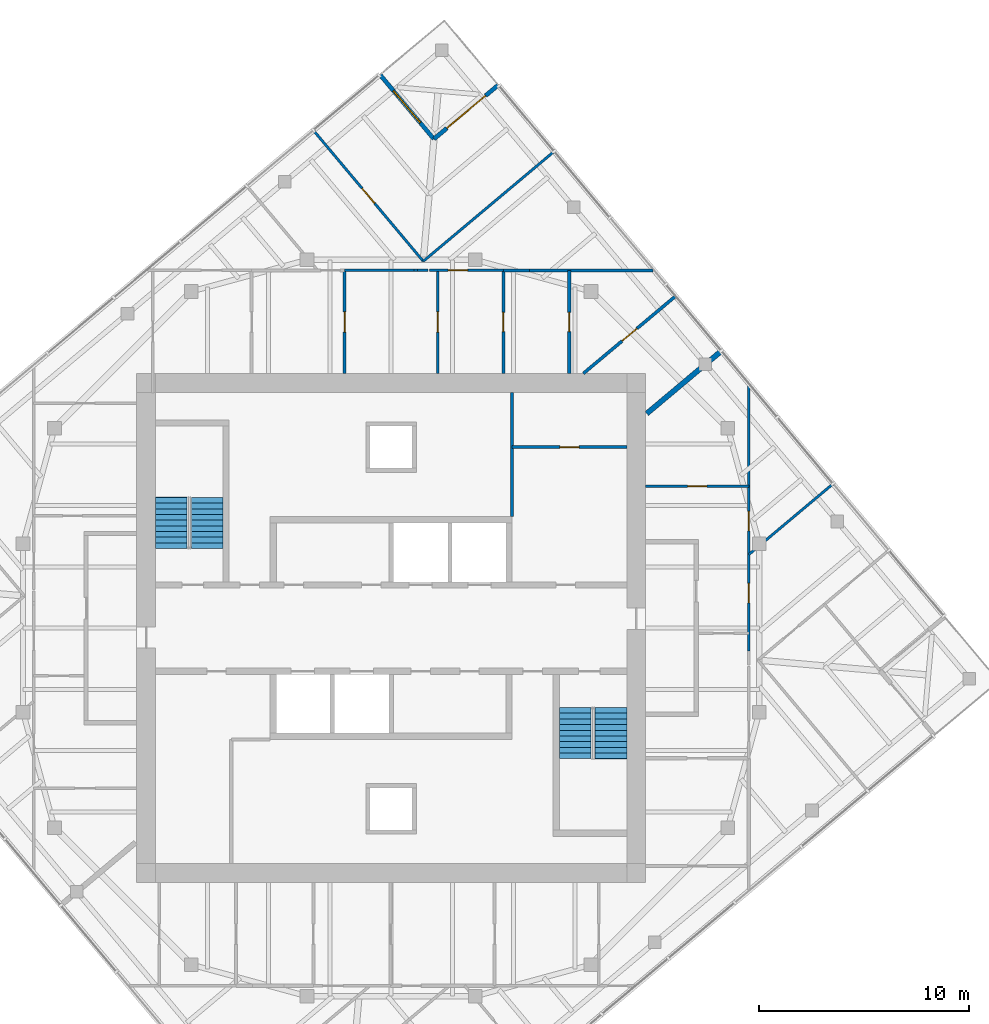
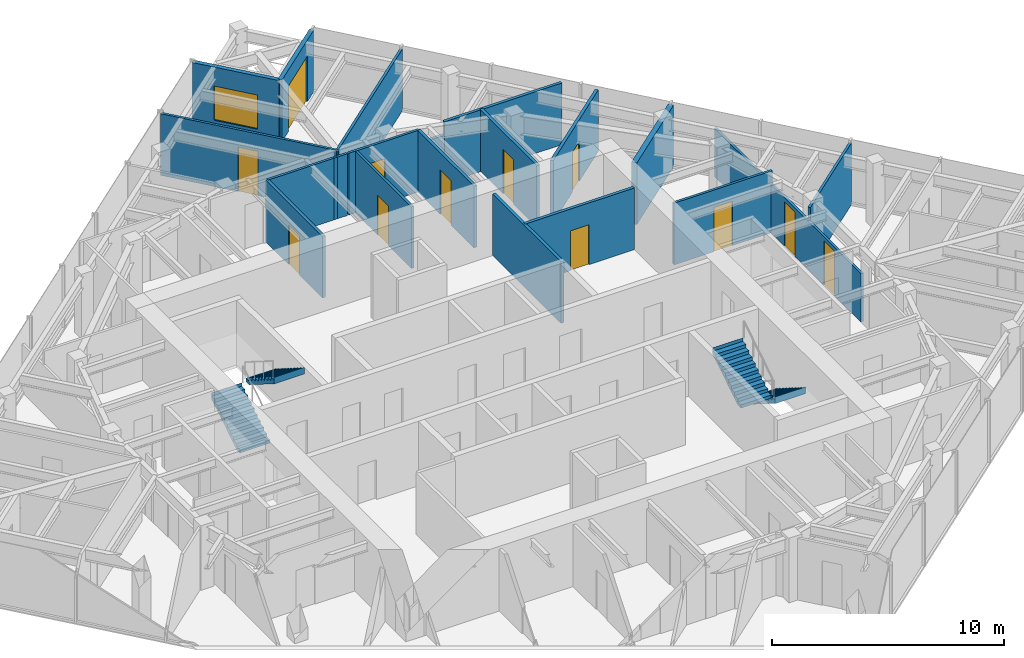
# One storey, part 10 of 11: 21 walls, 12 doors, 4 stair flights, 1 window, 13 openings, 2 elements without a shape of their own.
"""IFC4 building model written with IfcOpenShell, lengths in metres."""

from ifc_helpers import new_model, si_unit, direction, frame, frame_2d, origin, place, context, subcontext, project, spatial, polyline, rectangle, outline, extrude, material, layer, layer_set, type_object, element, fill, aggregate, save


model = new_model("IFC4")

# Units and contexts
model_context = context("Model", 3, precision=1e-05, world=origin(), true_north=direction((0.0, 1.0)))
body_context = subcontext(model_context, "Body", "Model", "MODEL_VIEW")
ifc_project = project(units=[si_unit("LENGTHUNIT", "METRE"), si_unit("AREAUNIT", "SQUARE_METRE"), si_unit("VOLUMEUNIT", "CUBIC_METRE"), si_unit("PLANEANGLEUNIT", "RADIAN"), si_unit("MASSUNIT", "GRAM", prefix="KILO")], contexts=[model_context])

# Site, building, storey
site_placement = place(None, origin())
site = spatial("IfcSite", under=ifc_project, at=site_placement, CompositionType="ELEMENT")
building_placement = place(site_placement, origin())
building = spatial("IfcBuilding", under=site, at=building_placement, Name="Torsade Residences", CompositionType="ELEMENT")
storey_placement = place(building_placement, frame((0.0, 0.0, 276.0)))
storey = spatial("IfcBuildingStorey", under=building, at=storey_placement, Name="L76", CompositionType="ELEMENT", Elevation=276.0)

# Wall, opening, door
ifc_material_1 = material(Name="Plasterboard on steel stud", Category="steel")
ifc_layer_1 = layer(ifc_material_1, 0.1201171875)
ifc_layer_set_1 = layer_set([ifc_layer_1], Name="Plasterboard on steel stud")
wall_type_1 = type_object("IfcWallType", Name="PARTITION 120", PredefinedType="PARTITIONING", material=ifc_layer_set_1)
wall_1_placement = place(storey_placement, frame((52.10009765625, 36.729736328125, 0.0), z_axis=(0.0, 0.0, 1.0), x_axis=(1.0, 0.0, 0.0)))
wall_1 = element("IfcWall", 1, at=wall_1_placement, inside=storey, type_object=wall_type_1, Name="Partition L76", PredefinedType="PARTITIONING", context=body_context, shape_type="SweptSolid", body=[
    extrude(rectangle(XDim=4.89990234375, YDim=0.1201171875, at=frame_2d((2.449951171875, 0.0))), origin(), (0.0, 0.0, 1.0), 3.25),
])
opening_1_placement = place(wall_1_placement, frame((1.989990234375, 0.0, 0.0)))
opening_1 = element("IfcOpeningElement", 2, at=opening_1_placement, cuts=wall_1, Name="Opening D02", PredefinedType="OPENING", context=body_context, shape_type="SweptSolid", body=[
    extrude(rectangle(XDim=0.919921875, YDim=2.340087890625, at=frame_2d((0.4599609375, 1.169921875))), frame((0.0, 0.070068359375, 0.0), z_axis=(0.0, -1.0, 0.0), x_axis=(1.0, 0.0, 0.0)), (0.0, 0.0, 1.0), 0.14013671875),
])
ifc_material_2 = material(Name="Hollow-core timber door", Category="wood")
door_type_1 = type_object("IfcDoorType", Name="INTERNAL DOOR 920x2340", OperationType="NOTDEFINED", PredefinedType="DOOR", material=ifc_material_2)
door_1_placement = place(opening_1_placement, origin())
door_1 = element("IfcDoor", 3, at=door_1_placement, inside=storey, type_object=door_type_1, Name="Door Kitchen and dining to Scullery", OperationType="SINGLE_SWING_RIGHT", OverallHeight=2.340087890625, OverallWidth=0.919921875, PredefinedType="DOOR", context=body_context, shape_type="SweptSolid", body=[
    extrude(rectangle(XDim=0.919921875, YDim=2.340087890625, at=frame_2d((0.4599609375, 1.169921875))), frame((0.0, 0.02490234375, 0.0), z_axis=(0.0, -1.0, 0.0), x_axis=(1.0, 0.0, 0.0)), (0.0, 0.0, 1.0), 0.050048828125),
])
fill(opening_1, door_1)

# Wall, openings, doors
wall_2_placement = place(storey_placement, frame((57.0, 41.5703125, 0.0), z_axis=(0.0, 0.0, 1.0), x_axis=(0.0, -1.0, 0.0)))
wall_2 = element("IfcWall", 4, at=wall_2_placement, inside=storey, type_object=wall_type_1, Name="Partition L76", PredefinedType="PARTITIONING", context=body_context, shape_type="SweptSolid", body=[
    extrude(rectangle(XDim=12.65576171875, YDim=0.1201171875, at=frame_2d((6.327880859375, 0.0))), origin(), (0.0, 0.0, 1.0), 2.549072265625),
])
opening_2_placement = place(wall_2_placement, frame((9.449462890625, 0.0, 0.0)))
opening_2 = element("IfcOpeningElement", 5, at=opening_2_placement, cuts=wall_2, Name="Opening D02", PredefinedType="OPENING", context=body_context, shape_type="SweptSolid", body=[
    extrude(rectangle(XDim=0.919921875, YDim=2.340087890625, at=frame_2d((0.4599609375, 1.169921875))), frame((0.0, 0.070068359375, 0.0), z_axis=(0.0, -1.0, 0.0), x_axis=(1.0, 0.0, 0.0)), (0.0, 0.0, 1.0), 0.14013671875),
])
opening_3_placement = place(wall_2_placement, frame((6.030517578125, 0.0, 0.0)))
opening_3 = element("IfcOpeningElement", 6, at=opening_3_placement, cuts=wall_2, Name="Opening D02", PredefinedType="OPENING", context=body_context, shape_type="SweptSolid", body=[
    extrude(rectangle(XDim=0.919921875, YDim=2.340087890625, at=frame_2d((0.4599609375, 1.169921875))), frame((0.0, 0.070068359375, 0.0), z_axis=(0.0, -1.0, 0.0), x_axis=(1.0, 0.0, 0.0)), (0.0, 0.0, 1.0), 0.14013671875),
])
door_2_placement = place(opening_2_placement, origin())
door_2 = element("IfcDoor", 7, at=door_2_placement, inside=storey, type_object=door_type_1, Name="Door Kitchen and dining to Bedroom 4", OperationType="SINGLE_SWING_LEFT", OverallHeight=2.340087890625, OverallWidth=0.919921875, PredefinedType="DOOR", context=body_context, shape_type="SweptSolid", body=[
    extrude(rectangle(XDim=0.919921875, YDim=2.340087890625, at=frame_2d((0.4599609375, 1.169921875))), frame((0.0, 0.02490234375, 0.0), z_axis=(0.0, -1.0, 0.0), x_axis=(1.0, 0.0, 0.0)), (0.0, 0.0, 1.0), 0.050048828125),
])
fill(opening_2, door_2)
door_3_placement = place(opening_3_placement, origin())
door_3 = element("IfcDoor", 8, at=door_3_placement, inside=storey, type_object=door_type_1, Name="Door Kitchen and dining to Media room", OperationType="SINGLE_SWING_RIGHT", OverallHeight=2.340087890625, OverallWidth=0.919921875, PredefinedType="DOOR", context=body_context, shape_type="SweptSolid", body=[
    extrude(rectangle(XDim=0.919921875, YDim=2.340087890625, at=frame_2d((0.4599609375, 1.169921875))), frame((0.0, 0.02490234375, 0.0), z_axis=(0.0, -1.0, 0.0), x_axis=(1.0, 0.0, 0.0)), (0.0, 0.0, 1.0), 0.050048828125),
])
fill(opening_3, door_3)

# Wall
wall_3_placement = place(storey_placement, frame((57.0, 33.4951171875, 0.0), z_axis=(0.0, 0.0, 1.0), x_axis=(0.76605407051, 0.642776136034, 0.0)))
element("IfcWall", 9, at=wall_3_placement, inside=storey, type_object=wall_type_1, Name="Partition L76", PredefinedType="PARTITIONING", context=body_context, shape_type="SweptSolid", body=[
    extrude(rectangle(XDim=5.190673828125, YDim=0.1201171875, at=frame_2d((2.59521484375, 0.0))), origin(), (0.0, 0.0, 1.0), 3.25),
])

# Wall, opening, door
wall_4_placement = place(storey_placement, frame((42.208251953125, 47.0, 0.0), z_axis=(0.0, 0.0, 1.0), x_axis=(0.0, -1.0, 0.0)))
wall_4 = element("IfcWall", 10, at=wall_4_placement, inside=storey, type_object=wall_type_1, Name="Partition L76", PredefinedType="PARTITIONING", context=body_context, shape_type="SweptSolid", body=[
    extrude(rectangle(XDim=4.89990234375, YDim=0.1201171875, at=frame_2d((2.449951171875, 0.0))), origin(), (0.0, 0.0, 1.0), 3.25),
])
opening_4_placement = place(wall_4_placement, frame((1.969970703125, 0.0, 0.0)))
opening_4 = element("IfcOpeningElement", 11, at=opening_4_placement, cuts=wall_4, Name="Opening D05", PredefinedType="OPENING", context=body_context, shape_type="SweptSolid", body=[
    extrude(rectangle(XDim=0.9599609375, YDim=2.10009765625, at=frame_2d((0.47998046875, 1.050048828125))), frame((0.0, 0.070068359375, 0.0), z_axis=(0.0, -1.0, 0.0), x_axis=(1.0, 0.0, 0.0)), (0.0, 0.0, 1.0), 0.14013671875),
])
ifc_material_3 = material(Name="Hollow-core timber door in a steel cavity frame", Category="steel")
door_type_2 = type_object("IfcDoorType", Name="BATHROOM CAVITY SLIDING DOOR 960", OperationType="SLIDING_TO_LEFT", PredefinedType="DOOR", material=ifc_material_3)
door_4_placement = place(opening_4_placement, origin())
door_4 = element("IfcDoor", 12, at=door_4_placement, inside=storey, type_object=door_type_2, Name="Door Laundry to Walk-in robe", OperationType="SLIDING_TO_LEFT", OverallHeight=2.10009765625, OverallWidth=0.9599609375, PredefinedType="DOOR", context=body_context, shape_type="SweptSolid", body=[
    extrude(rectangle(XDim=0.9599609375, YDim=2.10009765625, at=frame_2d((0.47998046875, 1.050048828125))), frame((0.0, 0.02490234375, 0.0), z_axis=(0.0, -1.0, 0.0), x_axis=(1.0, 0.0, 0.0)), (0.0, 0.0, 1.0), 0.050048828125),
])
fill(opening_4, door_4)

# Wall
wall_5_placement = place(storey_placement, frame((41.257568359375, 47.0, 0.0), z_axis=(0.0, 0.0, 1.0), x_axis=(1.0, 0.0, 0.0)))
element("IfcWall", 13, at=wall_5_placement, inside=storey, type_object=wall_type_1, Name="Partition L76", PredefinedType="PARTITIONING", context=body_context, shape_type="SweptSolid", body=[
    extrude(rectangle(XDim=0.503662109375, YDim=0.1201171875, at=frame_2d((0.251953125, 0.0))), origin(), (0.0, 0.0, 1.0), 3.25),
])

# Wall, opening, door
wall_6_placement = place(storey_placement, frame((41.824462890625, 47.0, 0.0), z_axis=(0.0, 0.0, 1.0), x_axis=(1.0, 0.0, 0.0)))
wall_6 = element("IfcWall", 14, at=wall_6_placement, inside=storey, type_object=wall_type_1, Name="Partition L76", PredefinedType="PARTITIONING", context=body_context, shape_type="SweptSolid", body=[
    extrude(rectangle(XDim=3.51123046875, YDim=0.1201171875, at=frame_2d((1.755615234375, 0.0))), origin(), (0.0, 0.0, 1.0), 3.25),
])
opening_5_placement = place(wall_6_placement, frame((0.887451171875, 0.0, 0.0)))
opening_5 = element("IfcOpeningElement", 15, at=opening_5_placement, cuts=wall_6, Name="Opening D02", PredefinedType="OPENING", context=body_context, shape_type="SweptSolid", body=[
    extrude(rectangle(XDim=0.919921875, YDim=2.340087890625, at=frame_2d((0.4599609375, 1.169921875))), frame((0.0, 0.070068359375, 0.0), z_axis=(0.0, -1.0, 0.0), x_axis=(1.0, 0.0, 0.0)), (0.0, 0.0, 1.0), 0.14013671875),
])
door_5_placement = place(opening_5_placement, origin())
door_5 = element("IfcDoor", 16, at=door_5_placement, inside=storey, type_object=door_type_1, Name="Door Walk-in robe to Bedroom 2", OperationType="SINGLE_SWING_RIGHT", OverallHeight=2.340087890625, OverallWidth=0.919921875, PredefinedType="DOOR", context=body_context, shape_type="SweptSolid", body=[
    extrude(rectangle(XDim=0.919921875, YDim=2.340087890625, at=frame_2d((0.4599609375, 1.169921875))), frame((0.0, 0.02490234375, 0.0), z_axis=(0.0, -1.0, 0.0), x_axis=(1.0, 0.0, 0.0)), (0.0, 0.0, 1.0), 0.050048828125),
])
fill(opening_5, door_5)

# Walls
wall_7_placement = place(storey_placement, frame((37.7861328125, 47.0, 0.0), z_axis=(0.0, 0.0, 1.0), x_axis=(1.0, 0.0, 0.0)))
element("IfcWall", 17, at=wall_7_placement, inside=storey, type_object=wall_type_1, Name="Partition L76", PredefinedType="PARTITIONING", context=body_context, shape_type="SweptSolid", body=[
    extrude(rectangle(XDim=3.29931640625, YDim=0.1201171875, at=frame_2d((1.649658203125, 0.0))), origin(), (0.0, 0.0, 1.0), 3.25),
])
wall_8_placement = place(storey_placement, frame((47.71875, 52.63134765625, 0.0), z_axis=(0.0, 0.0, 1.0), x_axis=(-0.766033729027, -0.642800378028, 0.0)))
element("IfcWall", 18, at=wall_8_placement, inside=storey, type_object=wall_type_1, Name="Partition L76", PredefinedType="PARTITIONING", context=body_context, shape_type="SweptSolid", body=[
    extrude(rectangle(XDim=8.0849609375, YDim=0.1201171875, at=frame_2d((4.04248046875, 0.0))), origin(), (0.0, 0.0, 1.0), 3.25),
])

# Wall, opening, door
wall_9_placement = place(storey_placement, frame((41.525390625, 47.434326171875, 0.0), z_axis=(0.0, 0.0, 1.0), x_axis=(-0.642800378028, 0.766033729027, 0.0)))
wall_9 = element("IfcWall", 19, at=wall_9_placement, inside=storey, type_object=wall_type_1, Name="Partition L76", PredefinedType="PARTITIONING", context=body_context, shape_type="SweptSolid", body=[
    extrude(rectangle(XDim=8.0849609375, YDim=0.1201171875, at=frame_2d((4.04248046875, 0.0))), origin(), (0.0, 0.0, 1.0), 3.25),
])
opening_6_placement = place(wall_9_placement, frame((3.6025390625, 0.0, 0.0)))
opening_6 = element("IfcOpeningElement", 20, at=opening_6_placement, cuts=wall_9, Name="Opening D02", PredefinedType="OPENING", context=body_context, shape_type="SweptSolid", body=[
    extrude(rectangle(XDim=0.919921875, YDim=2.340087890625, at=frame_2d((0.4599609375, 1.169921875))), frame((0.0, 0.070068359375, 0.0), z_axis=(0.0, -1.0, 0.0), x_axis=(1.0, 0.0, 0.0)), (0.0, 0.0, 1.0), 0.14013671875),
])
door_6_placement = place(opening_6_placement, origin())
door_6 = element("IfcDoor", 21, at=door_6_placement, inside=storey, type_object=door_type_1, Name="Door Bedroom 4 to Living room", OperationType="SINGLE_SWING_RIGHT", OverallHeight=2.340087890625, OverallWidth=0.919921875, PredefinedType="DOOR", context=body_context, shape_type="SweptSolid", body=[
    extrude(rectangle(XDim=0.919921875, YDim=2.340087890625, at=frame_2d((0.4599609375, 1.169921875))), frame((0.0, 0.02490234375, 0.0), z_axis=(0.0, -1.0, 0.0), x_axis=(1.0, 0.0, 0.0)), (0.0, 0.0, 1.0), 0.050048828125),
])
fill(opening_6, door_6)

# Walls
wall_10_placement = place(storey_placement, frame((41.257568359375, 47.0, 0.0), z_axis=(0.0, 0.0, 1.0), x_axis=(-1.0, 0.0, 0.0)))
element("IfcWall", 22, at=wall_10_placement, inside=storey, type_object=wall_type_1, Name="Partition L76", PredefinedType="PARTITIONING", context=body_context, shape_type="SweptSolid", body=[
    extrude(rectangle(XDim=0.172119140625, YDim=0.1201171875, at=frame_2d((0.0859375, 0.0))), origin(), (0.0, 0.0, 1.0), 3.25),
])
ifc_material_4 = material(Name="Masonry-lined stud party wall", Category="masonry")
ifc_layer_2 = layer(ifc_material_4, 0.25)
ifc_layer_set_2 = layer_set([ifc_layer_2], Name="Masonry-lined stud party wall")
wall_type_2 = type_object("IfcWallType", Name="PARTY WALL 250", PredefinedType="PARTITIONING", material=ifc_layer_set_2)
wall_11_placement = place(storey_placement, frame((55.703857421875, 43.17724609375, 0.0), z_axis=(0.0, 0.0, 1.0), x_axis=(-0.76603440109, -0.64279957712, 0.0)))
element("IfcWall", 23, at=wall_11_placement, inside=storey, type_object=wall_type_2, Name="Party wall L76", PredefinedType="PARTITIONING", context=body_context, shape_type="SweptSolid", body=[
    extrude(rectangle(XDim=4.6396484375, YDim=0.25, at=frame_2d((2.31982421875, 0.0))), origin(), (0.0, 0.0, 1.0), 3.25),
])
ifc_material_5 = material(Name="Reinforced blockwork", Category="masonry")
ifc_layer_3 = layer(ifc_material_5, 0.14990234375)
ifc_layer_set_3 = layer_set([ifc_layer_3], Name="Reinforced blockwork")
wall_type_3 = type_object("IfcWallType", Name="SERVICE ROOM WALL 150", PredefinedType="SOLIDWALL", material=ifc_layer_set_3)
wall_12_placement = place(storey_placement, frame((45.75, 41.199951171875, 0.0), z_axis=(0.0, 0.0, 1.0), x_axis=(0.0, -1.0, 0.0)))
element("IfcWall", 24, at=wall_12_placement, inside=storey, type_object=wall_type_3, Name="Service room wall L76", PredefinedType="SOLIDWALL", context=body_context, shape_type="SweptSolid", body=[
    extrude(rectangle(XDim=5.89990234375, YDim=0.14990234375, at=frame_2d((2.949951171875, 0.0))), origin(), (0.0, 0.0, 1.0), 3.25),
])

# Wall, opening, door
wall_13_placement = place(storey_placement, frame((45.75, 38.60009765625, 0.0), z_axis=(0.0, 0.0, 1.0), x_axis=(1.0, 0.0, 0.0)))
wall_13 = element("IfcWall", 25, at=wall_13_placement, inside=storey, type_object=wall_type_3, Name="Service room wall L76", PredefinedType="SOLIDWALL", context=body_context, shape_type="SweptSolid", body=[
    extrude(rectangle(XDim=5.449951171875, YDim=0.14990234375, at=frame_2d((2.72509765625, 0.0))), origin(), (0.0, 0.0, 1.0), 3.25),
])
opening_7_placement = place(wall_13_placement, frame((2.264892578125, 0.0, 0.0)))
opening_7 = element("IfcOpeningElement", 26, at=opening_7_placement, cuts=wall_13, Name="Opening D06", PredefinedType="OPENING", context=body_context, shape_type="SweptSolid", body=[
    extrude(rectangle(XDim=0.919921875, YDim=2.10009765625, at=frame_2d((0.4599609375, 1.050048828125))), frame((0.0, 0.0849609375, 0.0), z_axis=(0.0, -1.0, 0.0), x_axis=(1.0, 0.0, 0.0)), (0.0, 0.0, 1.0), 0.169921875),
])
ifc_material_6 = material(Name="Steel-framed fire door", Category="steel")
door_type_3 = type_object("IfcDoorType", Name="FIRE DOOR 920", OperationType="NOTDEFINED", PredefinedType="DOOR", material=ifc_material_6)
door_7_placement = place(opening_7_placement, origin())
door_7 = element("IfcDoor", 27, at=door_7_placement, inside=storey, type_object=door_type_3, Name="Door Refuse room to Bulky waste store", OperationType="SINGLE_SWING_LEFT", OverallHeight=2.10009765625, OverallWidth=0.919921875, PredefinedType="DOOR", context=body_context, shape_type="SweptSolid", body=[
    extrude(rectangle(XDim=0.919921875, YDim=2.10009765625, at=frame_2d((0.4599609375, 1.050048828125))), frame((0.0, 0.02490234375, 0.0), z_axis=(0.0, -1.0, 0.0), x_axis=(1.0, 0.0, 0.0)), (0.0, 0.0, 1.0), 0.050048828125),
])
fill(opening_7, door_7)

wall_14_placement = place(storey_placement, frame((37.7861328125, 42.10009765625, 0.0), z_axis=(0.0, 0.0, 1.0), x_axis=(0.0, 1.0, 0.0)))
wall_14 = element("IfcWall", 28, at=wall_14_placement, inside=storey, type_object=wall_type_3, Name="Service room wall L76", PredefinedType="SOLIDWALL", context=body_context, shape_type="SweptSolid", body=[
    extrude(rectangle(XDim=4.89990234375, YDim=0.14990234375, at=frame_2d((2.449951171875, 0.0))), origin(), (0.0, 0.0, 1.0), 3.25),
])
opening_8_placement = place(wall_14_placement, frame((1.969970703125, 0.0, 0.0)))
opening_8 = element("IfcOpeningElement", 29, at=opening_8_placement, cuts=wall_14, Name="Opening D05", PredefinedType="OPENING", context=body_context, shape_type="SweptSolid", body=[
    extrude(rectangle(XDim=0.9599609375, YDim=2.10009765625, at=frame_2d((0.47998046875, 1.050048828125))), frame((0.0, 0.0849609375, 0.0), z_axis=(0.0, -1.0, 0.0), x_axis=(1.0, 0.0, 0.0)), (0.0, 0.0, 1.0), 0.169921875),
])
door_8_placement = place(opening_8_placement, origin())
door_8 = element("IfcDoor", 30, at=door_8_placement, inside=storey, type_object=door_type_2, Name="Door Linen store to Laundry", OperationType="SLIDING_TO_LEFT", OverallHeight=2.10009765625, OverallWidth=0.9599609375, PredefinedType="DOOR", context=body_context, shape_type="SweptSolid", body=[
    extrude(rectangle(XDim=0.9599609375, YDim=2.10009765625, at=frame_2d((0.47998046875, 1.050048828125))), frame((0.0, 0.02490234375, 0.0), z_axis=(0.0, -1.0, 0.0), x_axis=(1.0, 0.0, 0.0)), (0.0, 0.0, 1.0), 0.050048828125),
])
fill(opening_8, door_8)

wall_15_placement = place(storey_placement, frame((49.135986328125, 42.10009765625, 0.0), z_axis=(0.0, 0.0, 1.0), x_axis=(0.766055078255, 0.642774935012, 0.0)))
wall_15 = element("IfcWall", 31, at=wall_15_placement, inside=storey, type_object=wall_type_3, Name="Service room wall L76", PredefinedType="SOLIDWALL", context=body_context, shape_type="SweptSolid", body=[
    extrude(rectangle(XDim=5.68359375, YDim=0.14990234375, at=frame_2d((2.841796875, 0.0))), origin(), (0.0, 0.0, 1.0), 3.25),
])
opening_9_placement = place(wall_15_placement, frame((2.40185546875, 0.0, 0.0)))
opening_9 = element("IfcOpeningElement", 32, at=opening_9_placement, cuts=wall_15, Name="Opening D02L", PredefinedType="OPENING", context=body_context, shape_type="SweptSolid", body=[
    extrude(rectangle(XDim=0.919921875, YDim=2.10009765625, at=frame_2d((0.4599609375, 1.050048828125))), frame((0.0, 0.0849609375, 0.0), z_axis=(0.0, -1.0, 0.0), x_axis=(1.0, 0.0, 0.0)), (0.0, 0.0, 1.0), 0.169921875),
])
ifc_material_7 = material(Name="Hollow-core timber door", Category="wood")
door_type_4 = type_object("IfcDoorType", Name="INTERNAL DOOR 920x2100", OperationType="NOTDEFINED", PredefinedType="DOOR", material=ifc_material_7)
door_9_placement = place(opening_9_placement, origin())
door_9 = element("IfcDoor", 33, at=door_9_placement, inside=storey, type_object=door_type_4, Name="Door Linen store 2 to Study", OperationType="SINGLE_SWING_LEFT", OverallHeight=2.10009765625, OverallWidth=0.919921875, PredefinedType="DOOR", context=body_context, shape_type="SweptSolid", body=[
    extrude(rectangle(XDim=0.919921875, YDim=2.10009765625, at=frame_2d((0.4599609375, 1.050048828125))), frame((0.0, 0.02490234375, 0.0), z_axis=(0.0, -1.0, 0.0), x_axis=(1.0, 0.0, 0.0)), (0.0, 0.0, 1.0), 0.050048828125),
])
fill(opening_9, door_9)

wall_16_placement = place(storey_placement, frame((48.463134765625, 42.10009765625, 0.0), z_axis=(0.0, 0.0, 1.0), x_axis=(0.0, 1.0, 0.0)))
wall_16 = element("IfcWall", 34, at=wall_16_placement, inside=storey, type_object=wall_type_3, Name="Service room wall L76", PredefinedType="SOLIDWALL", context=body_context, shape_type="SweptSolid", body=[
    extrude(rectangle(XDim=4.89990234375, YDim=0.14990234375, at=frame_2d((2.449951171875, 0.0))), origin(), (0.0, 0.0, 1.0), 3.25),
])
opening_10_placement = place(wall_16_placement, frame((1.989990234375, 0.0, 0.0)))
opening_10 = element("IfcOpeningElement", 35, at=opening_10_placement, cuts=wall_16, Name="Opening D02", PredefinedType="OPENING", context=body_context, shape_type="SweptSolid", body=[
    extrude(rectangle(XDim=0.919921875, YDim=2.340087890625, at=frame_2d((0.4599609375, 1.169921875))), frame((0.0, 0.0849609375, 0.0), z_axis=(0.0, -1.0, 0.0), x_axis=(1.0, 0.0, 0.0)), (0.0, 0.0, 1.0), 0.169921875),
])
door_10_placement = place(opening_10_placement, origin())
door_10 = element("IfcDoor", 36, at=door_10_placement, inside=storey, type_object=door_type_1, Name="Door Store to Linen store 2", OperationType="SINGLE_SWING_RIGHT", OverallHeight=2.340087890625, OverallWidth=0.919921875, PredefinedType="DOOR", context=body_context, shape_type="SweptSolid", body=[
    extrude(rectangle(XDim=0.919921875, YDim=2.340087890625, at=frame_2d((0.4599609375, 1.169921875))), frame((0.0, 0.02490234375, 0.0), z_axis=(0.0, -1.0, 0.0), x_axis=(1.0, 0.0, 0.0)), (0.0, 0.0, 1.0), 0.050048828125),
])
fill(opening_10, door_10)

# Walls
wall_17_placement = place(storey_placement, frame((45.335693359375, 47.0, 0.0), z_axis=(0.0, 0.0, 1.0), x_axis=(1.0, 0.0, 0.0)))
element("IfcWall", 37, at=wall_17_placement, inside=storey, type_object=wall_type_3, Name="Service room wall L76", PredefinedType="SOLIDWALL", context=body_context, shape_type="SweptSolid", body=[
    extrude(rectangle(XDim=1.247802734375, YDim=0.14990234375, at=frame_2d((0.6240234375, 0.0))), origin(), (0.0, 0.0, 1.0), 2.549072265625),
])
wall_18_placement = place(storey_placement, frame((46.58349609375, 47.0, 0.0), z_axis=(0.0, 0.0, 1.0), x_axis=(1.0, 0.0, 0.0)))
element("IfcWall", 38, at=wall_18_placement, inside=storey, type_object=wall_type_3, Name="Service room wall L76", PredefinedType="SOLIDWALL", context=body_context, shape_type="SweptSolid", body=[
    extrude(rectangle(XDim=5.8603515625, YDim=0.14990234375, at=frame_2d((2.93017578125, 0.0))), origin(), (0.0, 0.0, 1.0), 3.25),
])

# Wall, opening, door
wall_19_placement = place(storey_placement, frame((45.335693359375, 47.0, 0.0), z_axis=(0.0, 0.0, 1.0), x_axis=(0.0, -1.0, 0.0)))
wall_19 = element("IfcWall", 39, at=wall_19_placement, inside=storey, type_object=wall_type_3, Name="Service room wall L76", PredefinedType="SOLIDWALL", context=body_context, shape_type="SweptSolid", body=[
    extrude(rectangle(XDim=4.89990234375, YDim=0.14990234375, at=frame_2d((2.449951171875, 0.0))), origin(), (0.0, 0.0, 1.0), 3.25),
])
opening_11_placement = place(wall_19_placement, frame((1.989990234375, 0.0, 0.0)))
opening_11 = element("IfcOpeningElement", 40, at=opening_11_placement, cuts=wall_19, Name="Opening D02", PredefinedType="OPENING", context=body_context, shape_type="SweptSolid", body=[
    extrude(rectangle(XDim=0.919921875, YDim=2.340087890625, at=frame_2d((0.4599609375, 1.169921875))), frame((0.0, 0.0849609375, 0.0), z_axis=(0.0, -1.0, 0.0), x_axis=(1.0, 0.0, 0.0)), (0.0, 0.0, 1.0), 0.169921875),
])
door_11_placement = place(opening_11_placement, origin())
door_11 = element("IfcDoor", 41, at=door_11_placement, inside=storey, type_object=door_type_1, Name="Door Walk-in robe to Store", OperationType="SINGLE_SWING_LEFT", OverallHeight=2.340087890625, OverallWidth=0.919921875, PredefinedType="DOOR", context=body_context, shape_type="SweptSolid", body=[
    extrude(rectangle(XDim=0.919921875, YDim=2.340087890625, at=frame_2d((0.4599609375, 1.169921875))), frame((0.0, 0.02490234375, 0.0), z_axis=(0.0, -1.0, 0.0), x_axis=(1.0, 0.0, 0.0)), (0.0, 0.0, 1.0), 0.050048828125),
])
fill(opening_11, door_11)

ifc_material_8 = material(Name="Stone-faced precast concrete 40 MPa panel", Category="masonry")
ifc_layer_4 = layer(ifc_material_8, 0.199951171875)
ifc_layer_set_4 = layer_set([ifc_layer_4], Name="Stone-faced precast concrete 40 MPa panel")
wall_type_4 = type_object("IfcWallType", Name="TERRACE WALL 200", PredefinedType="SOLIDWALL", material=ifc_layer_set_4)
wall_20_placement = place(storey_placement, frame((45.097900390625, 55.81689453125, 0.0), z_axis=(0.0, 0.0, 1.0), x_axis=(-0.766060656284, -0.642768287094, 0.0)))
wall_20 = element("IfcWall", 42, at=wall_20_placement, inside=storey, type_object=wall_type_4, Name="Terrace wall L76 5", PredefinedType="SOLIDWALL", context=body_context, shape_type="SweptSolid", body=[
    extrude(rectangle(XDim=4.0, YDim=0.199951171875, at=frame_2d((2.0, 0.0))), origin(), (0.0, 0.0, 1.0), 3.25),
])
opening_12_placement = place(wall_20_placement, frame((0.800048828125, 0.0, 0.0)))
opening_12 = element("IfcOpeningElement", 43, at=opening_12_placement, cuts=wall_20, Name="Opening D10", PredefinedType="OPENING", context=body_context, shape_type="SweptSolid", body=[
    extrude(rectangle(XDim=2.39990234375, YDim=2.39990234375, at=frame_2d((1.199951171875, 1.199951171875))), frame((0.0, 0.10986328125, 0.0), z_axis=(0.0, -1.0, 0.0), x_axis=(1.0, 0.0, 0.0)), (0.0, 0.0, 1.0), 0.219970703125),
])
ifc_material_9 = material(Name="Aluminium-framed glass door", Category="aluminium")
door_type_5 = type_object("IfcDoorType", Name="TERRACE SLIDING DOOR 2400", OperationType="SLIDING_TO_LEFT", PredefinedType="DOOR", material=ifc_material_9)
door_12_placement = place(opening_12_placement, origin())
door_12 = element("IfcDoor", 44, at=door_12_placement, inside=storey, type_object=door_type_5, Name="Terrace door L76 5", OperationType="SLIDING_TO_LEFT", OverallHeight=2.39990234375, OverallWidth=2.39990234375, PredefinedType="DOOR", context=body_context, shape_type="SweptSolid", body=[
    extrude(rectangle(XDim=2.39990234375, YDim=2.39990234375, at=frame_2d((1.199951171875, 1.199951171875))), frame((0.0, 0.02490234375, 0.0), z_axis=(0.0, -1.0, 0.0), x_axis=(1.0, 0.0, 0.0)), (0.0, 0.0, 1.0), 0.050048828125),
])
fill(opening_12, door_12)

# Wall, opening, window
wall_21_placement = place(storey_placement, frame((42.03369140625, 53.245849609375, 0.0), z_axis=(0.0, 0.0, 1.0), x_axis=(-0.642798342015, 0.766035437498, 0.0)))
wall_21 = element("IfcWall", 45, at=wall_21_placement, inside=storey, type_object=wall_type_4, Name="Terrace wall L76 6", PredefinedType="SOLIDWALL", context=body_context, shape_type="SweptSolid", body=[
    extrude(rectangle(XDim=3.999755859375, YDim=0.199951171875, at=frame_2d((2.0, 0.0))), origin(), (0.0, 0.0, 1.0), 3.25),
])
opening_13_placement = place(wall_21_placement, frame((1.0, 0.0, 0.449951171875)))
opening_13 = element("IfcOpeningElement", 46, at=opening_13_placement, cuts=wall_21, Name="Opening W1B", PredefinedType="OPENING", context=body_context, shape_type="SweptSolid", body=[
    extrude(rectangle(XDim=2.0, YDim=1.800048828125, at=frame_2d((1.0, 0.89990234375))), frame((0.0, 0.10986328125, 0.0), z_axis=(0.0, -1.0, 0.0), x_axis=(1.0, 0.0, 0.0)), (0.0, 0.0, 1.0), 0.219970703125),
])
ifc_material_10 = material(Name="Aluminium-framed glass window", Category="aluminium")
window_type = type_object("IfcWindowType", Name="TERRACE WINDOW 2000x1800", PartitioningType="SINGLE_PANEL", PredefinedType="WINDOW", material=ifc_material_10)
window_placement = place(opening_13_placement, origin())
window = element("IfcWindow", 47, at=window_placement, inside=storey, type_object=window_type, Name="Terrace window L76 6", OverallHeight=1.800048828125, OverallWidth=2.0, PartitioningType="SINGLE_PANEL", PredefinedType="WINDOW", context=body_context, shape_type="SweptSolid", body=[
    extrude(rectangle(XDim=2.0, YDim=1.800048828125, at=frame_2d((1.0, 0.89990234375))), frame((0.0, 0.030029296875, 0.0), z_axis=(0.0, -1.0, 0.0), x_axis=(1.0, 0.0, 0.0)), (0.0, 0.0, 1.0), 0.06005859375),
])
fill(opening_13, window)

# Stair, stair flights
ifc_material_11 = material(Name="Precast concrete 40 MPa", Category="concrete")
stair_type = type_object("IfcStairType", Name="HALF-TURN FIRE STAIR 1500x3400", PredefinedType="HALF_TURN_STAIR", material=ifc_material_11)
stair_1_placement = place(storey_placement, origin())
stair_1 = element("IfcStair", 48, at=stair_1_placement, inside=storey, type_object=stair_type, Name="Stair ST1 L76", PredefinedType="HALF_TURN_STAIR")
ifc_material_12 = material(Name="Precast concrete 40 MPa", Category="concrete")
stair_flight_type = type_object("IfcStairFlightType", Name="PRECAST STAIR FLIGHT 1500x1700", PredefinedType="STRAIGHT", material=ifc_material_12)
stair_flight_1_placement = place(storey_placement, frame((29.550048828125, 33.780029296875, 0.0), z_axis=(0.0, 0.0, 1.0), x_axis=(0.0, 1.0, 0.0)))
stair_flight_1 = element("IfcStairFlight", 49, at=stair_flight_1_placement, type_object=stair_flight_type, Name="ST1 flight 1", NumberOfRisers=10, NumberOfTreads=9, PredefinedType="STRAIGHT", RiserHeight=0.17, TreadLength=0.27, context=body_context, shape_type="SweptSolid", body=[
    extrude(outline(polyline([(0.0, 0.0), (0.0, 0.169921875), (0.27001953125, 0.169921875), (0.27001953125, 0.340087890625), (0.5400390625, 0.340087890625), (0.5400390625, 0.510009765625), (0.81005859375, 0.510009765625), (0.81005859375, 0.679931640625), (1.080078125, 0.679931640625), (1.080078125, 0.85009765625), (1.35009765625, 0.85009765625), (1.35009765625, 1.02001953125), (1.6201171875, 1.02001953125), (1.6201171875, 1.18994140625), (1.889892578125, 1.18994140625), (1.889892578125, 1.360107421875), (2.159912109375, 1.360107421875), (2.159912109375, 1.530029296875), (2.429931640625, 1.530029296875), (2.429931640625, 1.699951171875), (2.43994140625, 1.699951171875), (2.43994140625, 1.352783203125), (2.429931640625, 1.352783203125), (0.28125, 0.0), (0.0, 0.0)])), frame((0.0, 0.75, 0.0), z_axis=(0.0, -1.0, 0.0), x_axis=(1.0, 0.0, 0.0)), (0.0, 0.0, 1.0), 1.5),
])
stair_flight_2_placement = place(storey_placement, frame((31.25, 36.2099609375, 1.699951171875), z_axis=(0.0, 0.0, 1.0), x_axis=(0.0, -1.0, 0.0)))
stair_flight_2 = element("IfcStairFlight", 50, at=stair_flight_2_placement, type_object=stair_flight_type, Name="ST1 flight 2", NumberOfRisers=10, NumberOfTreads=9, PredefinedType="STRAIGHT", RiserHeight=0.17, TreadLength=0.27, context=body_context, shape_type="SweptSolid", body=[
    extrude(outline(polyline([(0.0, 0.0), (0.0, 0.169921875), (0.27001953125, 0.169921875), (0.27001953125, 0.340087890625), (0.5400390625, 0.340087890625), (0.5400390625, 0.510009765625), (0.81005859375, 0.510009765625), (0.81005859375, 0.679931640625), (1.080078125, 0.679931640625), (1.080078125, 0.85009765625), (1.35009765625, 0.85009765625), (1.35009765625, 1.02001953125), (1.6201171875, 1.02001953125), (1.6201171875, 1.18994140625), (1.889892578125, 1.18994140625), (1.889892578125, 1.360107421875), (2.159912109375, 1.360107421875), (2.159912109375, 1.530029296875), (2.429931640625, 1.530029296875), (2.429931640625, 1.699951171875), (2.43994140625, 1.699951171875), (2.43994140625, 1.352783203125), (2.429931640625, 1.352783203125), (0.28125, 0.0), (0.0, 0.0)])), frame((0.0, 0.75, 0.0), z_axis=(0.0, -1.0, 0.0), x_axis=(1.0, 0.0, 0.0)), (0.0, 0.0, 1.0), 1.5),
])
aggregate(stair_1, [stair_flight_1, stair_flight_2])

stair_2_placement = place(storey_placement, origin())
stair_2 = element("IfcStair", 51, at=stair_2_placement, inside=storey, type_object=stair_type, Name="Stair ST2 L76", PredefinedType="HALF_TURN_STAIR")
stair_flight_3_placement = place(storey_placement, frame((50.449951171875, 26.219970703125, 0.0), z_axis=(0.0, 0.0, 1.0), x_axis=(0.0, -1.0, 0.0)))
stair_flight_3 = element("IfcStairFlight", 52, at=stair_flight_3_placement, type_object=stair_flight_type, Name="ST2 flight 1", NumberOfRisers=10, NumberOfTreads=9, PredefinedType="STRAIGHT", RiserHeight=0.17, TreadLength=0.27, context=body_context, shape_type="SweptSolid", body=[
    extrude(outline(polyline([(0.0, 0.0), (0.0, 0.169921875), (0.27001953125, 0.169921875), (0.27001953125, 0.340087890625), (0.5400390625, 0.340087890625), (0.5400390625, 0.510009765625), (0.81005859375, 0.510009765625), (0.81005859375, 0.679931640625), (1.080078125, 0.679931640625), (1.080078125, 0.85009765625), (1.35009765625, 0.85009765625), (1.35009765625, 1.02001953125), (1.6201171875, 1.02001953125), (1.6201171875, 1.18994140625), (1.889892578125, 1.18994140625), (1.889892578125, 1.360107421875), (2.159912109375, 1.360107421875), (2.159912109375, 1.530029296875), (2.429931640625, 1.530029296875), (2.429931640625, 1.699951171875), (2.43994140625, 1.699951171875), (2.43994140625, 1.352783203125), (2.429931640625, 1.352783203125), (0.28125, 0.0), (0.0, 0.0)])), frame((0.0, 0.75, 0.0), z_axis=(0.0, -1.0, 0.0), x_axis=(1.0, 0.0, 0.0)), (0.0, 0.0, 1.0), 1.5),
])
stair_flight_4_placement = place(storey_placement, frame((48.75, 23.7900390625, 1.699951171875), z_axis=(0.0, 0.0, 1.0), x_axis=(0.0, 1.0, 0.0)))
stair_flight_4 = element("IfcStairFlight", 53, at=stair_flight_4_placement, type_object=stair_flight_type, Name="ST2 flight 2", NumberOfRisers=10, NumberOfTreads=9, PredefinedType="STRAIGHT", RiserHeight=0.17, TreadLength=0.27, context=body_context, shape_type="SweptSolid", body=[
    extrude(outline(polyline([(0.0, 0.0), (0.0, 0.169921875), (0.27001953125, 0.169921875), (0.27001953125, 0.340087890625), (0.5400390625, 0.340087890625), (0.5400390625, 0.510009765625), (0.81005859375, 0.510009765625), (0.81005859375, 0.679931640625), (1.080078125, 0.679931640625), (1.080078125, 0.85009765625), (1.35009765625, 0.85009765625), (1.35009765625, 1.02001953125), (1.6201171875, 1.02001953125), (1.6201171875, 1.18994140625), (1.889892578125, 1.18994140625), (1.889892578125, 1.360107421875), (2.159912109375, 1.360107421875), (2.159912109375, 1.530029296875), (2.429931640625, 1.530029296875), (2.429931640625, 1.699951171875), (2.43994140625, 1.699951171875), (2.43994140625, 1.352783203125), (2.429931640625, 1.352783203125), (0.28125, 0.0), (0.0, 0.0)])), frame((0.0, 0.75, 0.0), z_axis=(0.0, -1.0, 0.0), x_axis=(1.0, 0.0, 0.0)), (0.0, 0.0, 1.0), 1.5),
])
aggregate(stair_2, [stair_flight_3, stair_flight_4])

save(model, "model.ifc")
